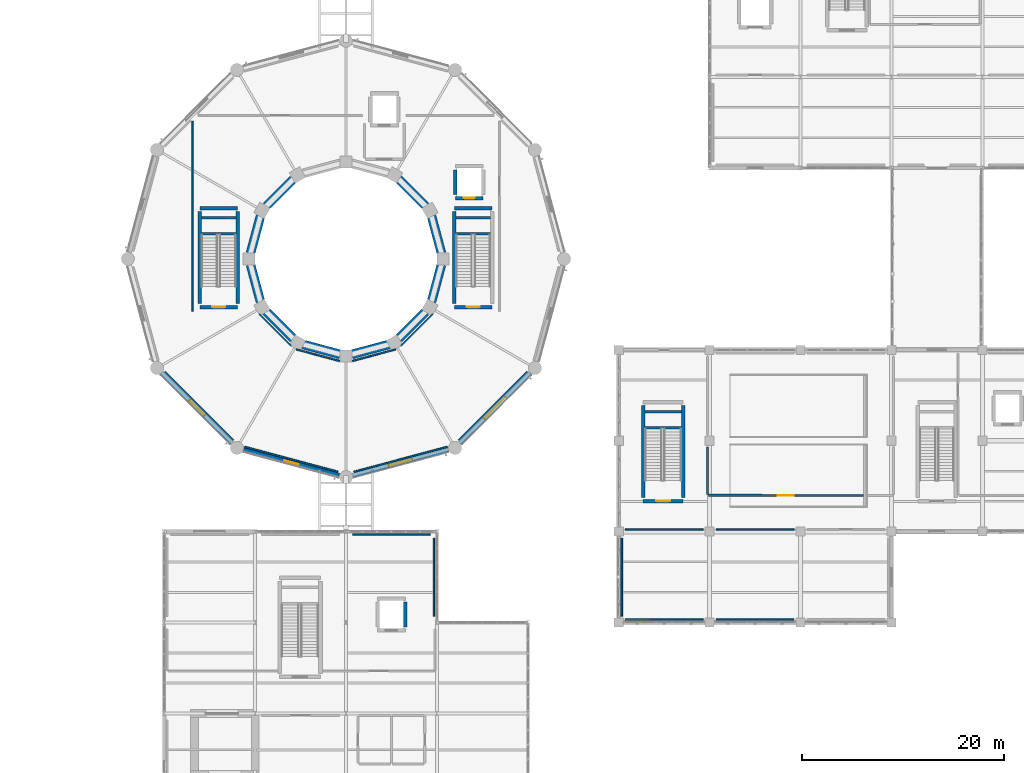
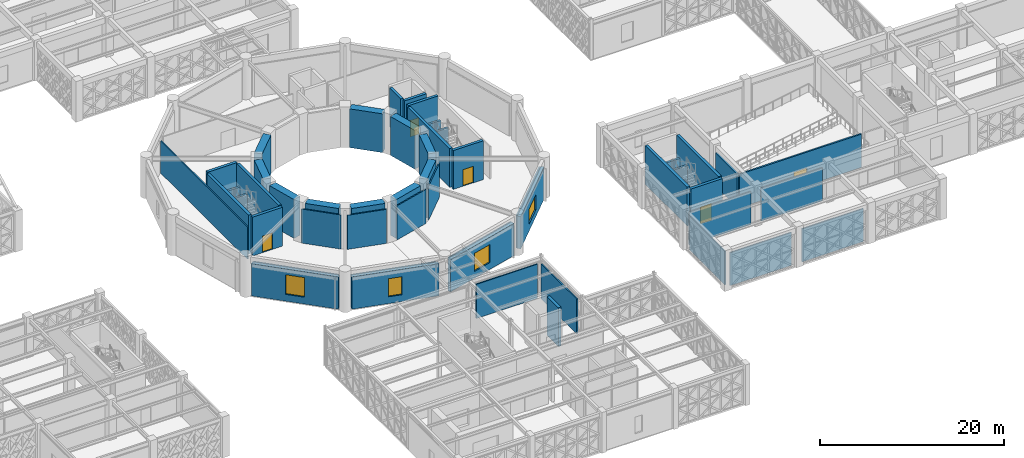
# One storey, part 141 of 166: 51 walls, 5 doors, 4 windows, 9 openings.
"""IFC4 building model written with IfcOpenShell, lengths in metres."""

from ifc_helpers import new_model, si_unit, direction, frame, frame_2d, origin, place, context, subcontext, project, spatial, rectangle, extrude, material, layer, layer_set, type_object, element, fill, save


model = new_model("IFC4")

# Units and contexts
model_context = context("Model", 3, precision=1e-05, world=origin(), true_north=direction((0.0, 1.0)))
body_context = subcontext(model_context, "Body", "Model", "MODEL_VIEW")
ifc_project = project(units=[si_unit("LENGTHUNIT", "METRE"), si_unit("AREAUNIT", "SQUARE_METRE"), si_unit("VOLUMEUNIT", "CUBIC_METRE"), si_unit("PLANEANGLEUNIT", "RADIAN"), si_unit("MASSUNIT", "GRAM", prefix="KILO")], contexts=[model_context])

# Site, building, storey
site_placement = place(None, origin())
site = spatial("IfcSite", under=ifc_project, at=site_placement, CompositionType="ELEMENT")
building_placement = place(site_placement, origin())
building = spatial("IfcBuilding", under=site, at=building_placement, Name="Haizhuo Lancet Aquarium", CompositionType="ELEMENT")
storey_placement = place(building_placement, frame((0.0, 0.0, 5.39990234375)))
storey = spatial("IfcBuildingStorey", under=building, at=storey_placement, Name="L01", CompositionType="ELEMENT", Elevation=5.39990234375)

# Wall, opening, window
ifc_material_1 = material(Name="Shandong Grey Limestone Ashlar", Category="masonry")
ifc_layer_1 = layer(ifc_material_1, 0.39990234375)
ifc_layer_set_1 = layer_set([ifc_layer_1], Name="Shandong Grey Limestone Ashlar")
wall_type_1 = type_object("IfcWallType", Name="EWL-ASH-400", PredefinedType="SOLIDWALL", material=ifc_layer_set_1)
wall_1_placement = place(storey_placement, frame((-11.291015625, -18.215087890625, 0.0), z_axis=(0.0, 0.0, 1.0), x_axis=(-0.707106781187, 0.707106781187, 0.0)))
wall_1 = element("IfcWall", 1, at=wall_1_placement, inside=storey, type_object=wall_type_1, Name="L01 V1 limestone drum wall bay 8", PredefinedType="SOLIDWALL", context=body_context, shape_type="SweptSolid", body=[
    extrude(rectangle(XDim=9.792236328125, YDim=0.39990234375, at=frame_2d((4.89599609375, 0.0))), origin(), (0.0, 0.0, 1.0), 4.275146484375),
])
opening_1_placement = place(wall_1_placement, frame((3.845947265625, 0.0, 0.89990234375)))
opening_1 = element("IfcOpeningElement", 2, at=opening_1_placement, cuts=wall_1, Name="Opening WN-07", PredefinedType="OPENING", context=body_context, shape_type="SweptSolid", body=[
    extrude(rectangle(XDim=2.10009765625, YDim=2.60009765625, at=frame_2d((1.050048828125, 1.300048828125))), frame((0.0, 0.2099609375, 0.0), z_axis=(0.0, -1.0, 0.0), x_axis=(1.0, 0.0, 0.0)), (0.0, 0.0, 1.0), 0.419902),
])
ifc_material_2 = material(Name="Laminated Low-E Glass", Category="glass")
window_type_1 = type_object("IfcWindowType", Name="WIN-LAN-2100x2600", PartitioningType="SINGLE_PANEL", PredefinedType="WINDOW", material=ifc_material_2)
window_1_placement = place(opening_1_placement, origin())
window_1 = element("IfcWindow", 3, at=window_1_placement, inside=storey, type_object=window_type_1, Name="L01 Gothic lancet window 16", OverallHeight=2.60009765625, OverallWidth=2.10009765625, PartitioningType="SINGLE_PANEL", PredefinedType="WINDOW", context=body_context, shape_type="SweptSolid", body=[
    extrude(rectangle(XDim=2.10009765625, YDim=2.60009765625, at=frame_2d((1.050048828125, 1.300048828125))), frame((0.0, 0.030029296875, 0.0), z_axis=(0.0, -1.0, 0.0), x_axis=(1.0, 0.0, 0.0)), (0.0, 0.0, 1.0), 0.06005859375),
])
fill(opening_1, window_1)

wall_2_placement = place(storey_placement, frame((-0.6708984375, -21.419921875, 0.0), z_axis=(0.0, 0.0, 1.0), x_axis=(-0.965934251614, 0.258787599316, 0.0)))
wall_2 = element("IfcWall", 4, at=wall_2_placement, inside=storey, type_object=wall_type_1, Name="L01 V1 limestone drum wall bay 9", PredefinedType="SOLIDWALL", context=body_context, shape_type="SweptSolid", body=[
    extrude(rectangle(XDim=9.79150390625, YDim=0.39990234375, at=frame_2d((4.895751953125, 0.0))), origin(), (0.0, 0.0, 1.0), 4.275146484375),
])
opening_2_placement = place(wall_2_placement, frame((4.14599609375, 0.0, 0.89990234375)))
opening_2 = element("IfcOpeningElement", 5, at=opening_2_placement, cuts=wall_2, Name="Opening WN-04", PredefinedType="OPENING", context=body_context, shape_type="SweptSolid", body=[
    extrude(rectangle(XDim=1.5, YDim=2.39990234375, at=frame_2d((0.75, 1.199951171875))), frame((0.0, 0.2099609375, 0.0), z_axis=(0.0, -1.0, 0.0), x_axis=(1.0, 0.0, 0.0)), (0.0, 0.0, 1.0), 0.419902),
])
window_type_2 = type_object("IfcWindowType", Name="WIN-LAN-1500x2400", PartitioningType="SINGLE_PANEL", PredefinedType="WINDOW", material=ifc_material_2)
window_2_placement = place(opening_2_placement, origin())
window_2 = element("IfcWindow", 6, at=window_2_placement, inside=storey, type_object=window_type_2, Name="L01 Gothic lancet window 17", OverallHeight=2.39990234375, OverallWidth=1.5, PartitioningType="SINGLE_PANEL", PredefinedType="WINDOW", context=body_context, shape_type="SweptSolid", body=[
    extrude(rectangle(XDim=1.5, YDim=2.39990234375, at=frame_2d((0.75, 1.199951171875))), frame((0.0, 0.030029296875, 0.0), z_axis=(0.0, -1.0, 0.0), x_axis=(1.0, 0.0, 0.0)), (0.0, 0.0, 1.0), 0.06005859375),
])
fill(opening_2, window_2)

wall_3_placement = place(storey_placement, frame((10.12890625, -18.885986328125, 0.0), z_axis=(0.0, 0.0, 1.0), x_axis=(-0.965934251614, -0.258787599316, 0.0)))
wall_3 = element("IfcWall", 7, at=wall_3_placement, inside=storey, type_object=wall_type_1, Name="L01 V1 limestone drum wall bay 10", PredefinedType="SOLIDWALL", context=body_context, shape_type="SweptSolid", body=[
    extrude(rectangle(XDim=9.79150390625, YDim=0.39990234375, at=frame_2d((4.895751953125, 0.0))), origin(), (0.0, 0.0, 1.0), 4.275146484375),
])
opening_3_placement = place(wall_3_placement, frame((3.696044921875, 0.0, 0.89990234375)))
opening_3 = element("IfcOpeningElement", 8, at=opening_3_placement, cuts=wall_3, Name="Opening WN-08", PredefinedType="OPENING", context=body_context, shape_type="SweptSolid", body=[
    extrude(rectangle(XDim=2.39990234375, YDim=2.39990234375, at=frame_2d((1.199951171875, 1.199951171875))), frame((0.0, 0.2099609375, 0.0), z_axis=(0.0, -1.0, 0.0), x_axis=(1.0, 0.0, 0.0)), (0.0, 0.0, 1.0), 0.419902),
])
window_type_3 = type_object("IfcWindowType", Name="WIN-LAN-2400x2400", PartitioningType="SINGLE_PANEL", PredefinedType="WINDOW", material=ifc_material_2)
window_3_placement = place(opening_3_placement, origin())
window_3 = element("IfcWindow", 9, at=window_3_placement, inside=storey, type_object=window_type_3, Name="L01 Gothic lancet window 18", OverallHeight=2.39990234375, OverallWidth=2.39990234375, PartitioningType="SINGLE_PANEL", PredefinedType="WINDOW", context=body_context, shape_type="SweptSolid", body=[
    extrude(rectangle(XDim=2.39990234375, YDim=2.39990234375, at=frame_2d((1.199951171875, 1.199951171875))), frame((0.0, 0.030029296875, 0.0), z_axis=(0.0, -1.0, 0.0), x_axis=(1.0, 0.0, 0.0)), (0.0, 0.0, 1.0), 0.06005859375),
])
fill(opening_3, window_3)

wall_4_placement = place(storey_placement, frame((18.215087890625, -11.291015625, 0.0), z_axis=(0.0, 0.0, 1.0), x_axis=(-0.707106781187, -0.707106781187, 0.0)))
wall_4 = element("IfcWall", 10, at=wall_4_placement, inside=storey, type_object=wall_type_1, Name="L01 V1 limestone drum wall bay 11", PredefinedType="SOLIDWALL", context=body_context, shape_type="SweptSolid", body=[
    extrude(rectangle(XDim=9.792236328125, YDim=0.39990234375, at=frame_2d((4.89599609375, 0.0))), origin(), (0.0, 0.0, 1.0), 4.275146484375),
])
opening_4_placement = place(wall_4_placement, frame((3.39599609375, 0.0, 0.89990234375)))
opening_4 = element("IfcOpeningElement", 11, at=opening_4_placement, cuts=wall_4, Name="Opening WN-10", PredefinedType="OPENING", context=body_context, shape_type="SweptSolid", body=[
    extrude(rectangle(XDim=3.0, YDim=2.0, at=frame_2d((1.5, 1.0))), frame((0.0, 0.2099609375, 0.0), z_axis=(0.0, -1.0, 0.0), x_axis=(1.0, 0.0, 0.0)), (0.0, 0.0, 1.0), 0.419902),
])
window_type_4 = type_object("IfcWindowType", Name="WIN-LAN-3000x2000", PartitioningType="SINGLE_PANEL", PredefinedType="WINDOW", material=ifc_material_2)
window_4_placement = place(opening_4_placement, origin())
window_4 = element("IfcWindow", 12, at=window_4_placement, inside=storey, type_object=window_type_4, Name="L01 Gothic lancet window 19", OverallHeight=2.0, OverallWidth=3.0, PartitioningType="SINGLE_PANEL", PredefinedType="WINDOW", context=body_context, shape_type="SweptSolid", body=[
    extrude(rectangle(XDim=3.0, YDim=2.0, at=frame_2d((1.5, 1.0))), frame((0.0, 0.030029296875, 0.0), z_axis=(0.0, -1.0, 0.0), x_axis=(1.0, 0.0, 0.0)), (0.0, 0.0, 1.0), 0.06005859375),
])
fill(opening_4, window_4)

# Wall
ifc_material_3 = material(Name="Concrete C40/50", Category="concrete")
ifc_layer_2 = layer(ifc_material_3, 0.199951171875)
ifc_layer_set_2 = layer_set([ifc_layer_2], Name="Concrete C40/50")
wall_type_2 = type_object("IfcWallType", Name="IWL-ACU-200", PredefinedType="PARTITIONING", material=ifc_layer_set_2)
wall_5_placement = place(storey_placement, frame((35.800048828125, -18.639892578125, 0.0), z_axis=(0.0, 0.0, 1.0), x_axis=(0.0, -1.0, 0.0)))
element("IfcWall", 13, at=wall_5_placement, inside=storey, type_object=wall_type_2, Name="L01 partition wall 247", PredefinedType="PARTITIONING", context=body_context, shape_type="SweptSolid", body=[
    extrude(rectangle(XDim=4.66015625, YDim=0.199951171875, at=frame_2d((2.330078125, 0.0))), origin(), (0.0, 0.0, 1.0), 4.425048828125),
])

# Wall, opening, door
wall_6_placement = place(storey_placement, frame((35.87109375, -23.39599609375, 0.0), z_axis=(0.0, 0.0, 1.0), x_axis=(0.999999981796, -0.000190809346, 0.0)))
wall_6 = element("IfcWall", 14, at=wall_6_placement, inside=storey, type_object=wall_type_2, Name="L01 partition wall 248", PredefinedType="PARTITIONING", context=body_context, shape_type="SweptSolid", body=[
    extrude(rectangle(XDim=15.35400390625, YDim=0.199951171875, at=frame_2d((7.677001953125, 0.0))), origin(), (0.0, 0.0, 1.0), 4.425048828125),
])
opening_5_placement = place(wall_6_placement, frame((6.876953125, 0.0, 0.0)))
opening_5 = element("IfcOpeningElement", 15, at=opening_5_placement, cuts=wall_6, Name="Opening D-03", PredefinedType="OPENING", context=body_context, shape_type="SweptSolid", body=[
    extrude(rectangle(XDim=1.60009765625, YDim=2.300048828125, at=frame_2d((0.800048828125, 1.14990234375))), frame((0.0, 0.10986328125, 0.0), z_axis=(0.0, -1.0, 0.0), x_axis=(1.0, 0.0, 0.0)), (0.0, 0.0, 1.0), 0.219951),
])
ifc_material_4 = material(Name="Steel S355", Category="steel")
door_type_1 = type_object("IfcDoorType", Name="IDR-AUD-1600x2300", OperationType="NOTDEFINED", PredefinedType="DOOR", material=ifc_material_4)
door_1_placement = place(opening_5_placement, origin())
door_1 = element("IfcDoor", 16, at=door_1_placement, inside=storey, type_object=door_type_1, Name="L01 Education Centre Auditorium door", OperationType="DOUBLE_DOOR_SINGLE_SWING", OverallHeight=2.300048828125, OverallWidth=1.60009765625, PredefinedType="DOOR", context=body_context, shape_type="SweptSolid", body=[
    extrude(rectangle(XDim=1.60009765625, YDim=2.300048828125, at=frame_2d((0.800048828125, 1.14990234375))), frame((0.0, 0.02490234375, 0.0), z_axis=(0.0, -1.0, 0.0), x_axis=(1.0, 0.0, 0.0)), (0.0, 0.0, 1.0), 0.050048828125),
])
fill(opening_5, door_1)

# Walls
ifc_material_5 = material(Name="Gypsum Fireboard Partition")
ifc_layer_3 = layer(ifc_material_5, 0.14990234375)
ifc_layer_set_3 = layer_set([ifc_layer_3], Name="Gypsum Fireboard Partition")
wall_type_3 = type_object("IfcWallType", Name="IWL-STD-150", PredefinedType="PARTITIONING", material=ifc_layer_set_3)
wall_7_placement = place(storey_placement, frame((-17.946044921875, -11.135009765625, 0.0), z_axis=(0.0, 0.0, 1.0), x_axis=(0.707056083443, -0.707157475295, 0.0)))
element("IfcWall", 17, at=wall_7_placement, inside=storey, type_object=wall_type_3, Name="L01 partition wall 213", PredefinedType="PARTITIONING", context=body_context, shape_type="SweptSolid", body=[
    extrude(rectangle(XDim=9.631591796875, YDim=0.14990234375, at=frame_2d((4.81591796875, 0.0))), origin(), (0.0, 0.0, 1.0), 4.275146484375),
])
wall_8_placement = place(storey_placement, frame((-10.0400390625, -18.59912109375, 0.0), z_axis=(0.0, 0.0, 1.0), x_axis=(0.965936310931, -0.258779912716, 0.0)))
element("IfcWall", 18, at=wall_8_placement, inside=storey, type_object=wall_type_3, Name="L01 partition wall 214", PredefinedType="PARTITIONING", context=body_context, shape_type="SweptSolid", body=[
    extrude(rectangle(XDim=9.559814453125, YDim=0.14990234375, at=frame_2d((4.77978515625, 0.0))), origin(), (0.0, 0.0, 1.0), 4.275146484375),
])
wall_9_placement = place(storey_placement, frame((0.787109375, -21.076904296875, 0.0), z_axis=(0.0, 0.0, 1.0), x_axis=(0.965965793981, 0.258669837549, 0.0)))
element("IfcWall", 19, at=wall_9_placement, inside=storey, type_object=wall_type_3, Name="L01 partition wall 215", PredefinedType="PARTITIONING", context=body_context, shape_type="SweptSolid", body=[
    extrude(rectangle(XDim=9.578857421875, YDim=0.14990234375, at=frame_2d((4.78955078125, 0.0))), origin(), (0.0, 0.0, 1.0), 4.275146484375),
])
wall_10_placement = place(storey_placement, frame((11.12890625, -17.946044921875, 0.0), z_axis=(0.0, 0.0, 1.0), x_axis=(0.707474066545, 0.706739304953, 0.0)))
element("IfcWall", 20, at=wall_10_placement, inside=storey, type_object=wall_type_3, Name="L01 partition wall 216", PredefinedType="PARTITIONING", context=body_context, shape_type="SweptSolid", body=[
    extrude(rectangle(XDim=9.635986328125, YDim=0.14990234375, at=frame_2d((4.81787109375, 0.0))), origin(), (0.0, 0.0, 1.0), 4.275146484375),
])
wall_11_placement = place(storey_placement, frame((8.593017578125, -5.43994140625, 0.0), z_axis=(0.0, 0.0, 1.0), x_axis=(-0.707106781187, -0.707106781187, 0.0)))
element("IfcWall", 21, at=wall_11_placement, inside=storey, type_object=wall_type_3, Name="L01 partition wall 221", PredefinedType="PARTITIONING", context=body_context, shape_type="SweptSolid", body=[
    extrude(rectangle(XDim=4.459228515625, YDim=0.14990234375, at=frame_2d((2.2294921875, 0.0))), origin(), (0.0, 0.0, 1.0), 4.525146484375),
])
for number, where, z_axis, x_axis, name in (
    (22, (4.922119140625, -8.9541015625, 0.0), (0.0, 0.0, 1.0), (-0.965895929323, -0.258930596333, 0.0), "L01 partition wall 222"),
    (23, (-0.639892578125, -10.10205078125, 0.0), (0.0, 0.0, 1.0), (-0.965895929323, 0.258930596333, 0.0), "L01 partition wall 223"),
):
    element("IfcWall", number, at=place(storey_placement, frame(where, z_axis=z_axis, x_axis=x_axis)), inside=storey, type_object=wall_type_3, Name=name, PredefinedType="PARTITIONING", context=body_context, shape_type="SweptSolid", body=[
        extrude(rectangle(XDim=4.433349609375, YDim=0.14990234375, at=frame_2d((2.216796875, 0.0))), origin(), (0.0, 0.0, 1.0), 4.525146484375),
    ])
wall_12_placement = place(storey_placement, frame((-5.43994140625, -8.593017578125, 0.0), z_axis=(0.0, 0.0, 1.0), x_axis=(-0.707106781187, 0.707106781187, 0.0)))
element("IfcWall", 24, at=wall_12_placement, inside=storey, type_object=wall_type_3, Name="L01 partition wall 224", PredefinedType="PARTITIONING", context=body_context, shape_type="SweptSolid", body=[
    extrude(rectangle(XDim=4.459228515625, YDim=0.14990234375, at=frame_2d((2.2294921875, 0.0))), origin(), (0.0, 0.0, 1.0), 4.525146484375),
])
wall_13_placement = place(storey_placement, frame((-15.199951171875, -5.199951171875, 0.0), z_axis=(0.0, 0.0, 1.0), x_axis=(0.0, 1.0, 0.0)))
element("IfcWall", 25, at=wall_13_placement, inside=storey, type_object=wall_type_3, Name="L01 partition wall 225", PredefinedType="PARTITIONING", context=body_context, shape_type="SweptSolid", body=[
    extrude(rectangle(XDim=18.83984375, YDim=0.14990234375, at=frame_2d((9.419921875, 0.0))), origin(), (0.0, 0.0, 1.0), 4.275146484375),
])
wall_14_placement = place(storey_placement, frame((27.300048828125, -27.64990234375, 0.0), z_axis=(0.0, 0.0, 1.0), x_axis=(0.0, -1.0, 0.0)))
element("IfcWall", 26, at=wall_14_placement, inside=storey, type_object=wall_type_3, Name="L01 partition wall 262", PredefinedType="PARTITIONING", context=body_context, shape_type="SweptSolid", body=[
    extrude(rectangle(XDim=7.7001953125, YDim=0.14990234375, at=frame_2d((3.85009765625, 0.0))), origin(), (0.0, 0.0, 1.0), 4.425048828125),
])
wall_15_placement = place(storey_placement, frame((27.639892578125, -35.696044921875, 0.0), z_axis=(0.0, 0.0, 1.0), x_axis=(0.999999871661, -0.00050663367, 0.0)))
element("IfcWall", 27, at=wall_15_placement, inside=storey, type_object=wall_type_3, Name="L01 partition wall 263", PredefinedType="PARTITIONING", context=body_context, shape_type="SweptSolid", body=[
    extrude(rectangle(XDim=7.710205078125, YDim=0.14990234375, at=frame_2d((3.85498046875, 0.0))), origin(), (0.0, 0.0, 1.0), 4.375),
])
wall_16_placement = place(storey_placement, frame((36.64990234375, -35.699951171875, 0.0), z_axis=(0.0, 0.0, 1.0), x_axis=(1.0, 0.0, 0.0)))
element("IfcWall", 28, at=wall_16_placement, inside=storey, type_object=wall_type_3, Name="L01 partition wall 264", PredefinedType="PARTITIONING", context=body_context, shape_type="SweptSolid", body=[
    extrude(rectangle(XDim=7.7001953125, YDim=0.14990234375, at=frame_2d((3.85009765625, 0.0))), origin(), (0.0, 0.0, 1.0), 4.375),
])
for number, where, z_axis, x_axis, name in (
    (29, (44.360107421875, -26.800048828125, 0.0), (0.0, 0.0, 1.0), (-1.0, 0.0, 0.0), "L01 partition wall 268"),
    (30, (35.360107421875, -26.800048828125, 0.0), (0.0, 0.0, 1.0), (-1.0, 0.0, 0.0), "L01 partition wall 269"),
):
    element("IfcWall", number, at=place(storey_placement, frame(where, z_axis=z_axis, x_axis=x_axis)), inside=storey, type_object=wall_type_3, Name=name, PredefinedType="PARTITIONING", context=body_context, shape_type="SweptSolid", body=[
        extrude(rectangle(XDim=7.710205078125, YDim=0.14990234375, at=frame_2d((3.85498046875, 0.0))), origin(), (0.0, 0.0, 1.0), 4.375),
    ])
wall_17_placement = place(storey_placement, frame((8.699951171875, -35.35009765625, 0.0), z_axis=(0.0, 0.0, 1.0), x_axis=(-0.00050663367, 0.999999871661, 0.0)))
element("IfcWall", 31, at=wall_17_placement, inside=storey, type_object=wall_type_3, Name="L01 partition wall 278", PredefinedType="PARTITIONING", context=body_context, shape_type="SweptSolid", body=[
    extrude(rectangle(XDim=7.710205078125, YDim=0.14990234375, at=frame_2d((3.85498046875, 0.0))), origin(), (0.0, 0.0, 1.0), 4.63720703125),
])
wall_18_placement = place(storey_placement, frame((8.35009765625, -27.300048828125, 0.0), z_axis=(0.0, 0.0, 1.0), x_axis=(-1.0, 0.0, 0.0)))
element("IfcWall", 32, at=wall_18_placement, inside=storey, type_object=wall_type_3, Name="L01 partition wall 279", PredefinedType="PARTITIONING", context=body_context, shape_type="SweptSolid", body=[
    extrude(rectangle(XDim=7.7001953125, YDim=0.14990234375, at=frame_2d((3.85009765625, 0.0))), origin(), (0.0, 0.0, 1.0), 4.537109375),
])
ifc_layer_4 = layer(ifc_material_3, 0.35009765625)
ifc_layer_set_4 = layer_set([ifc_layer_4], Name="Concrete C40/50")
wall_type_4 = type_object("IfcWallType", Name="WL-CORE-350", PredefinedType="SHEAR", material=ifc_layer_set_4)
for number, where, z_axis, x_axis, name in (
    (33, (-14.300048828125, 2.47509765625, 0.0), (0.0, 0.0, 1.0), (1.0, 0.0, 0.0), "L01 ST-01 landing support wall"),
    (34, (-14.300048828125, 4.074951171875, 0.0), (0.0, 0.0, 1.0), (1.0, 0.0, 0.0), "L01 ST-01 far landing support wall"),
):
    element("IfcWall", number, at=place(storey_placement, frame(where, z_axis=z_axis, x_axis=x_axis)), inside=storey, type_object=wall_type_4, Name=name, PredefinedType="SHEAR", context=body_context, shape_type="SweptSolid", body=[
        extrude(rectangle(XDim=3.400146484375, YDim=0.25, at=frame_2d((1.7001953125, 0.0))), origin(), (0.0, 0.0, 1.0), 2.5),
    ])

# Wall, opening, door
wall_19_placement = place(storey_placement, frame((-14.47509765625, -4.77490234375, 0.0), z_axis=(0.0, 0.0, 1.0), x_axis=(1.0, 0.0, 0.0)))
wall_19 = element("IfcWall", 35, at=wall_19_placement, inside=storey, type_object=wall_type_4, Name="L01 ST-01 core shear wall S", PredefinedType="SHEAR", context=body_context, shape_type="SweptSolid", body=[
    extrude(rectangle(XDim=3.75, YDim=0.35009765625, at=frame_2d((1.875, 0.0))), origin(), (0.0, 0.0, 1.0), 5.150146484375),
])
opening_6_placement = place(wall_19_placement, frame((1.22509765625, 0.0, 0.0)))
opening_6 = element("IfcOpeningElement", 36, at=opening_6_placement, cuts=wall_19, Name="Opening FD-02", PredefinedType="OPENING", context=body_context, shape_type="SweptSolid", body=[
    extrude(rectangle(XDim=1.300048828125, YDim=2.199951171875, at=frame_2d((0.64990234375, 1.10009765625))), frame((0.0, 0.18505859375, 0.0), z_axis=(0.0, -1.0, 0.0), x_axis=(1.0, 0.0, 0.0)), (0.0, 0.0, 1.0), 0.370098),
])
door_type_2 = type_object("IfcDoorType", Name="IDR-STAIR-1300x2200", OperationType="NOTDEFINED", PredefinedType="DOOR", material=ifc_material_4)
door_2_placement = place(opening_6_placement, origin())
door_2 = element("IfcDoor", 37, at=door_2_placement, inside=storey, type_object=door_type_2, Name="L01 ST-01 stairwell fire door", OperationType="SINGLE_SWING_LEFT", OverallHeight=2.199951171875, OverallWidth=1.300048828125, PredefinedType="DOOR", context=body_context, shape_type="SweptSolid", body=[
    extrude(rectangle(XDim=1.300048828125, YDim=2.199951171875, at=frame_2d((0.64990234375, 1.10009765625))), frame((0.0, 0.02490234375, 0.0), z_axis=(0.0, -1.0, 0.0), x_axis=(1.0, 0.0, 0.0)), (0.0, 0.0, 1.0), 0.050048828125),
])
fill(opening_6, door_2)

# Walls
wall_20_placement = place(storey_placement, frame((-14.47509765625, 5.02490234375, 0.0), z_axis=(0.0, 0.0, 1.0), x_axis=(1.0, 0.0, 0.0)))
element("IfcWall", 38, at=wall_20_placement, inside=storey, type_object=wall_type_4, Name="L01 ST-01 core shear wall N", PredefinedType="SHEAR", context=body_context, shape_type="SweptSolid", body=[
    extrude(rectangle(XDim=3.75, YDim=0.35009765625, at=frame_2d((1.875, 0.0))), origin(), (0.0, 0.0, 1.0), 5.150146484375),
])
for number, where, z_axis, x_axis, name in (
    (39, (-14.47509765625, -4.425048828125, 0.0), (0.0, 0.0, 1.0), (0.0, 1.0, 0.0), "L01 ST-01 core shear wall W"),
    (40, (-10.72509765625, -4.425048828125, 0.0), (0.0, 0.0, 1.0), (0.0, 1.0, 0.0), "L01 ST-01 core shear wall E"),
):
    element("IfcWall", number, at=place(storey_placement, frame(where, z_axis=z_axis, x_axis=x_axis)), inside=storey, type_object=wall_type_4, Name=name, PredefinedType="SHEAR", context=body_context, shape_type="SweptSolid", body=[
        extrude(rectangle(XDim=9.10009765625, YDim=0.35009765625, at=frame_2d((4.550048828125, 0.0))), origin(), (0.0, 0.0, 1.0), 5.150146484375),
    ])
for number, where, z_axis, x_axis, name in (
    (41, (10.89990234375, 2.47509765625, 0.0), (0.0, 0.0, 1.0), (1.0, 0.0, 0.0), "L01 ST-02 landing support wall"),
    (42, (10.89990234375, 4.074951171875, 0.0), (0.0, 0.0, 1.0), (1.0, 0.0, 0.0), "L01 ST-02 far landing support wall"),
):
    element("IfcWall", number, at=place(storey_placement, frame(where, z_axis=z_axis, x_axis=x_axis)), inside=storey, type_object=wall_type_4, Name=name, PredefinedType="SHEAR", context=body_context, shape_type="SweptSolid", body=[
        extrude(rectangle(XDim=3.400146484375, YDim=0.25, at=frame_2d((1.7001953125, 0.0))), origin(), (0.0, 0.0, 1.0), 2.5),
    ])

# Wall, opening, door
wall_21_placement = place(storey_placement, frame((10.72509765625, -4.77490234375, 0.0), z_axis=(0.0, 0.0, 1.0), x_axis=(1.0, 0.0, 0.0)))
wall_21 = element("IfcWall", 43, at=wall_21_placement, inside=storey, type_object=wall_type_4, Name="L01 ST-02 core shear wall S", PredefinedType="SHEAR", context=body_context, shape_type="SweptSolid", body=[
    extrude(rectangle(XDim=3.75, YDim=0.35009765625, at=frame_2d((1.875, 0.0))), origin(), (0.0, 0.0, 1.0), 5.150146484375),
])
opening_7_placement = place(wall_21_placement, frame((1.22509765625, 0.0, 0.0)))
opening_7 = element("IfcOpeningElement", 44, at=opening_7_placement, cuts=wall_21, Name="Opening FD-02", PredefinedType="OPENING", context=body_context, shape_type="SweptSolid", body=[
    extrude(rectangle(XDim=1.300048828125, YDim=2.199951171875, at=frame_2d((0.64990234375, 1.10009765625))), frame((0.0, 0.18505859375, 0.0), z_axis=(0.0, -1.0, 0.0), x_axis=(1.0, 0.0, 0.0)), (0.0, 0.0, 1.0), 0.370098),
])
door_3_placement = place(opening_7_placement, origin())
door_3 = element("IfcDoor", 45, at=door_3_placement, inside=storey, type_object=door_type_2, Name="L01 ST-02 stairwell fire door", OperationType="SINGLE_SWING_RIGHT", OverallHeight=2.199951171875, OverallWidth=1.300048828125, PredefinedType="DOOR", context=body_context, shape_type="SweptSolid", body=[
    extrude(rectangle(XDim=1.300048828125, YDim=2.199951171875, at=frame_2d((0.64990234375, 1.10009765625))), frame((0.0, 0.02490234375, 0.0), z_axis=(0.0, -1.0, 0.0), x_axis=(1.0, 0.0, 0.0)), (0.0, 0.0, 1.0), 0.050048828125),
])
fill(opening_7, door_3)

# Walls
wall_22_placement = place(storey_placement, frame((10.72509765625, 5.02490234375, 0.0), z_axis=(0.0, 0.0, 1.0), x_axis=(1.0, 0.0, 0.0)))
element("IfcWall", 46, at=wall_22_placement, inside=storey, type_object=wall_type_4, Name="L01 ST-02 core shear wall N", PredefinedType="SHEAR", context=body_context, shape_type="SweptSolid", body=[
    extrude(rectangle(XDim=3.75, YDim=0.35009765625, at=frame_2d((1.875, 0.0))), origin(), (0.0, 0.0, 1.0), 5.150146484375),
])
wall_23_placement = place(storey_placement, frame((10.72509765625, -4.425048828125, 0.0), z_axis=(0.0, 0.0, 1.0), x_axis=(0.0, 1.0, 0.0)))
element("IfcWall", 47, at=wall_23_placement, inside=storey, type_object=wall_type_4, Name="L01 ST-02 core shear wall W", PredefinedType="SHEAR", context=body_context, shape_type="SweptSolid", body=[
    extrude(rectangle(XDim=9.10009765625, YDim=0.35009765625, at=frame_2d((4.550048828125, 0.0))), origin(), (0.0, 0.0, 1.0), 5.150146484375),
])
for number, where, z_axis, x_axis, name in (
    (48, (29.60009765625, -16.72509765625, 0.0), (0.0, 0.0, 1.0), (1.0, 0.0, 0.0), "L01 ST-04 landing support wall"),
    (49, (29.60009765625, -15.125, 0.0), (0.0, 0.0, 1.0), (1.0, 0.0, 0.0), "L01 ST-04 far landing support wall"),
):
    element("IfcWall", number, at=place(storey_placement, frame(where, z_axis=z_axis, x_axis=x_axis)), inside=storey, type_object=wall_type_4, Name=name, PredefinedType="SHEAR", context=body_context, shape_type="SweptSolid", body=[
        extrude(rectangle(XDim=3.599853515625, YDim=0.25, at=frame_2d((1.7998046875, 0.0))), origin(), (0.0, 0.0, 1.0), 2.5),
    ])

# Wall, opening, door
wall_24_placement = place(storey_placement, frame((29.425048828125, -23.97509765625, 0.0), z_axis=(0.0, 0.0, 1.0), x_axis=(1.0, 0.0, 0.0)))
wall_24 = element("IfcWall", 50, at=wall_24_placement, inside=storey, type_object=wall_type_4, Name="L01 ST-04 core shear wall S", PredefinedType="SHEAR", context=body_context, shape_type="SweptSolid", body=[
    extrude(rectangle(XDim=3.949951171875, YDim=0.35009765625, at=frame_2d((1.97509765625, 0.0))), origin(), (0.0, 0.0, 1.0), 5.150146484375),
])
opening_8_placement = place(wall_24_placement, frame((1.27490234375, 0.0, 0.0)))
opening_8 = element("IfcOpeningElement", 51, at=opening_8_placement, cuts=wall_24, Name="Opening FD-01", PredefinedType="OPENING", context=body_context, shape_type="SweptSolid", body=[
    extrude(rectangle(XDim=1.39990234375, YDim=2.199951171875, at=frame_2d((0.699951171875, 1.10009765625))), frame((0.0, 0.18505859375, 0.0), z_axis=(0.0, -1.0, 0.0), x_axis=(1.0, 0.0, 0.0)), (0.0, 0.0, 1.0), 0.370098),
])
door_type_3 = type_object("IfcDoorType", Name="IDR-STAIR-1400x2200", OperationType="NOTDEFINED", PredefinedType="DOOR", material=ifc_material_4)
door_4_placement = place(opening_8_placement, origin())
door_4 = element("IfcDoor", 52, at=door_4_placement, inside=storey, type_object=door_type_3, Name="L01 ST-04 stairwell fire door", OperationType="SINGLE_SWING_RIGHT", OverallHeight=2.199951171875, OverallWidth=1.39990234375, PredefinedType="DOOR", context=body_context, shape_type="SweptSolid", body=[
    extrude(rectangle(XDim=1.39990234375, YDim=2.199951171875, at=frame_2d((0.699951171875, 1.10009765625))), frame((0.0, 0.02490234375, 0.0), z_axis=(0.0, -1.0, 0.0), x_axis=(1.0, 0.0, 0.0)), (0.0, 0.0, 1.0), 0.050048828125),
])
fill(opening_8, door_4)

# Walls
for number, where, z_axis, x_axis, name in (
    (53, (29.425048828125, -23.625, 0.0), (0.0, 0.0, 1.0), (0.0, 1.0, 0.0), "L01 ST-04 core shear wall W"),
    (54, (33.375, -23.625, 0.0), (0.0, 0.0, 1.0), (0.0, 1.0, 0.0), "L01 ST-04 core shear wall E"),
):
    element("IfcWall", number, at=place(storey_placement, frame(where, z_axis=z_axis, x_axis=x_axis)), inside=storey, type_object=wall_type_4, Name=name, PredefinedType="SHEAR", context=body_context, shape_type="SweptSolid", body=[
        extrude(rectangle(XDim=9.10009765625, YDim=0.35009765625, at=frame_2d((4.550048828125, 0.0))), origin(), (0.0, 0.0, 1.0), 5.150146484375),
    ])

# Wall, opening, door
wall_25_placement = place(storey_placement, frame((10.824951171875, 6.02490234375, 0.0), z_axis=(0.0, 0.0, 1.0), x_axis=(1.0, 0.0, 0.0)))
wall_25 = element("IfcWall", 55, at=wall_25_placement, inside=storey, type_object=wall_type_4, Name="L01 LP-01 lift shaft wall -Y", PredefinedType="SHEAR", context=body_context, shape_type="SweptSolid", body=[
    extrude(rectangle(XDim=2.75, YDim=0.35009765625, at=frame_2d((1.375, 0.0))), origin(), (0.0, 0.0, 1.0), 5.150146484375),
])
opening_9_placement = place(wall_25_placement, frame((0.824951171875, 0.0, 0.0)))
opening_9 = element("IfcOpeningElement", 56, at=opening_9_placement, cuts=wall_25, Name="Opening LD-01", PredefinedType="OPENING", context=body_context, shape_type="SweptSolid", body=[
    extrude(rectangle(XDim=1.10009765625, YDim=2.199951171875, at=frame_2d((0.550048828125, 1.10009765625))), frame((0.0, 0.18505859375, 0.0), z_axis=(0.0, -1.0, 0.0), x_axis=(1.0, 0.0, 0.0)), (0.0, 0.0, 1.0), 0.370098),
])
door_type_4 = type_object("IfcDoorType", Name="IDR-LIFT-1100x2200", OperationType="NOTDEFINED", PredefinedType="DOOR", material=ifc_material_4)
door_5_placement = place(opening_9_placement, origin())
door_5 = element("IfcDoor", 57, at=door_5_placement, inside=storey, type_object=door_type_4, Name="L01 LP-01 sliding lift landing door", OperationType="DOUBLE_DOOR_SLIDING", OverallHeight=2.199951171875, OverallWidth=1.10009765625, PredefinedType="DOOR", context=body_context, shape_type="SweptSolid", body=[
    extrude(rectangle(XDim=1.10009765625, YDim=2.199951171875, at=frame_2d((0.550048828125, 1.10009765625))), frame((0.0, 0.02490234375, 0.0), z_axis=(0.0, -1.0, 0.0), x_axis=(1.0, 0.0, 0.0)), (0.0, 0.0, 1.0), 0.050048828125),
])
fill(opening_9, door_5)

# Walls
for number, where, z_axis, x_axis, name in (
    (58, (10.824951171875, 6.375, 0.0), (0.0, 0.0, 1.0), (0.0, 1.0, 0.0), "L01 LP-01 lift shaft wall -X"),
    (59, (5.875, -36.425048828125, 0.0), (0.0, 0.0, 1.0), (0.0, 1.0, 0.0), "L01 LP-03 lift shaft wall +X"),
):
    element("IfcWall", number, at=place(storey_placement, frame(where, z_axis=z_axis, x_axis=x_axis)), inside=storey, type_object=wall_type_4, Name=name, PredefinedType="SHEAR", context=body_context, shape_type="SweptSolid", body=[
        extrude(rectangle(XDim=2.449951171875, YDim=0.35009765625, at=frame_2d((1.22509765625, 0.0))), origin(), (0.0, 0.0, 1.0), 5.150146484375),
    ])
ifc_material_6 = material(Name="Concrete C45/55", Category="concrete")
ifc_layer_5 = layer(ifc_material_6, 0.89990234375)
ifc_layer_set_5 = layer_set([ifc_layer_5], Name="Concrete C45/55")
wall_type_5 = type_object("IfcWallType", Name="WL-TANK-900", PredefinedType="SHEAR", material=ifc_layer_set_5)
wall_26_placement = place(storey_placement, frame((9.445068359375, 0.580078125, 0.0), z_axis=(0.0, 0.0, 1.0), x_axis=(-0.259009169026, 0.965874862682, 0.0)))
element("IfcWall", 60, at=wall_26_placement, inside=storey, type_object=wall_type_5, Name="L01 Pelagic Ocean Tank hydrostatic wall chord 1", PredefinedType="SHEAR", context=body_context, shape_type="SweptSolid", body=[
    extrude(rectangle(XDim=3.7685546875, YDim=0.89990234375, at=frame_2d((1.88427734375, 0.0))), origin(), (0.0, 0.0, 1.0), 5.14013671875),
])
for number, where, z_axis, x_axis, name in (
    (61, (7.889892578125, 5.22412109375, 0.0), (0.0, 0.0, 1.0), (-0.707106781187, 0.707106781187, 0.0), "L01 Pelagic Ocean Tank hydrostatic wall chord 2"),
    (62, (-5.22412109375, 7.889892578125, 0.0), (0.0, 0.0, 1.0), (-0.707106781187, -0.707106781187, 0.0), "L01 Pelagic Ocean Tank hydrostatic wall chord 5"),
):
    element("IfcWall", number, at=place(storey_placement, frame(where, z_axis=z_axis, x_axis=x_axis)), inside=storey, type_object=wall_type_5, Name=name, PredefinedType="SHEAR", context=body_context, shape_type="SweptSolid", body=[
        extrude(rectangle(XDim=3.77001953125, YDim=0.89990234375, at=frame_2d((1.885009765625, 0.0))), origin(), (0.0, 0.0, 1.0), 5.14013671875),
    ])
for number, where, z_axis, x_axis, name in (
    (63, (-8.468994140625, 4.219970703125, 0.0), (0.0, 0.0, 1.0), (-0.259009169026, -0.965874862682, 0.0), "L01 Pelagic Ocean Tank hydrostatic wall chord 6"),
    (64, (-9.445068359375, -0.580078125, 0.0), (0.0, 0.0, 1.0), (0.259009169026, -0.965874862682, 0.0), "L01 Pelagic Ocean Tank hydrostatic wall chord 7"),
):
    element("IfcWall", number, at=place(storey_placement, frame(where, z_axis=z_axis, x_axis=x_axis)), inside=storey, type_object=wall_type_5, Name=name, PredefinedType="SHEAR", context=body_context, shape_type="SweptSolid", body=[
        extrude(rectangle(XDim=3.7685546875, YDim=0.89990234375, at=frame_2d((1.88427734375, 0.0))), origin(), (0.0, 0.0, 1.0), 5.14013671875),
    ])
wall_27_placement = place(storey_placement, frame((-7.889892578125, -5.22412109375, 0.0), z_axis=(0.0, 0.0, 1.0), x_axis=(0.707106781187, -0.707106781187, 0.0)))
element("IfcWall", 65, at=wall_27_placement, inside=storey, type_object=wall_type_5, Name="L01 Pelagic Ocean Tank hydrostatic wall chord 8", PredefinedType="SHEAR", context=body_context, shape_type="SweptSolid", body=[
    extrude(rectangle(XDim=3.77001953125, YDim=0.89990234375, at=frame_2d((1.885009765625, 0.0))), origin(), (0.0, 0.0, 1.0), 5.14013671875),
])
for number, where, z_axis, x_axis, name in (
    (66, (-4.219970703125, -8.468994140625, 0.0), (0.0, 0.0, 1.0), (0.965874862682, -0.259009169026, 0.0), "L01 Pelagic Ocean Tank hydrostatic wall chord 9"),
    (67, (0.580078125, -9.445068359375, 0.0), (0.0, 0.0, 1.0), (0.965874862682, 0.259009169026, 0.0), "L01 Pelagic Ocean Tank hydrostatic wall chord 10"),
):
    element("IfcWall", number, at=place(storey_placement, frame(where, z_axis=z_axis, x_axis=x_axis)), inside=storey, type_object=wall_type_5, Name=name, PredefinedType="SHEAR", context=body_context, shape_type="SweptSolid", body=[
        extrude(rectangle(XDim=3.7685546875, YDim=0.89990234375, at=frame_2d((1.88427734375, 0.0))), origin(), (0.0, 0.0, 1.0), 5.14013671875),
    ])
wall_28_placement = place(storey_placement, frame((5.22412109375, -7.889892578125, 0.0), z_axis=(0.0, 0.0, 1.0), x_axis=(0.707106781187, 0.707106781187, 0.0)))
element("IfcWall", 68, at=wall_28_placement, inside=storey, type_object=wall_type_5, Name="L01 Pelagic Ocean Tank hydrostatic wall chord 11", PredefinedType="SHEAR", context=body_context, shape_type="SweptSolid", body=[
    extrude(rectangle(XDim=3.77001953125, YDim=0.89990234375, at=frame_2d((1.885009765625, 0.0))), origin(), (0.0, 0.0, 1.0), 5.14013671875),
])
wall_29_placement = place(storey_placement, frame((8.468994140625, -4.219970703125, 0.0), z_axis=(0.0, 0.0, 1.0), x_axis=(0.259009169026, 0.965874862682, 0.0)))
element("IfcWall", 69, at=wall_29_placement, inside=storey, type_object=wall_type_5, Name="L01 Pelagic Ocean Tank hydrostatic wall chord 12", PredefinedType="SHEAR", context=body_context, shape_type="SweptSolid", body=[
    extrude(rectangle(XDim=3.7685546875, YDim=0.89990234375, at=frame_2d((1.88427734375, 0.0))), origin(), (0.0, 0.0, 1.0), 5.14013671875),
])

save(model, "model.ifc")
